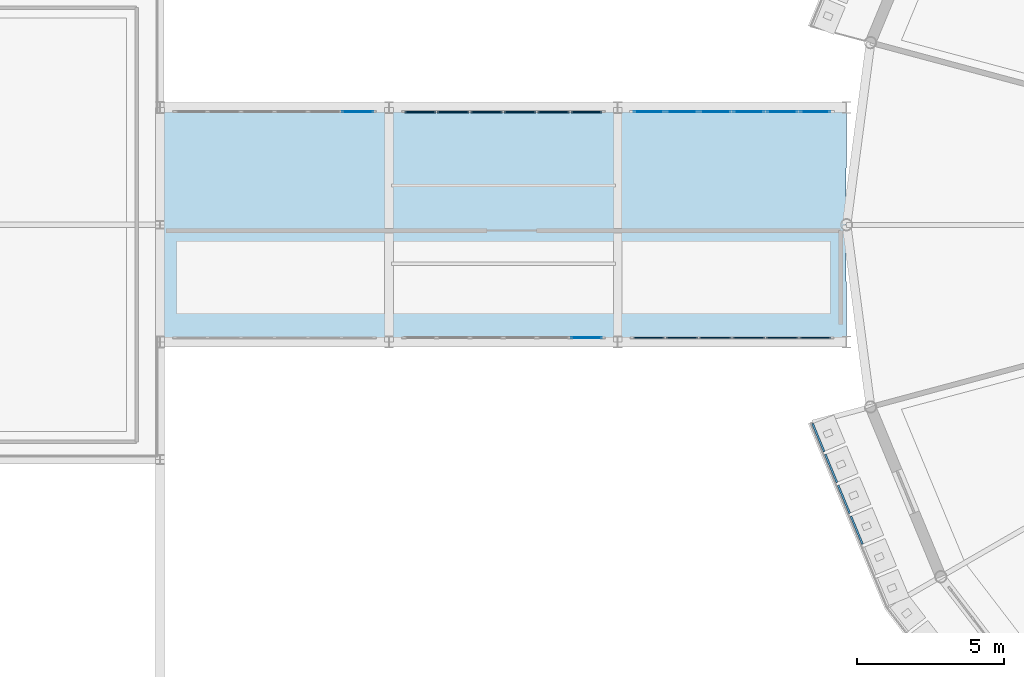
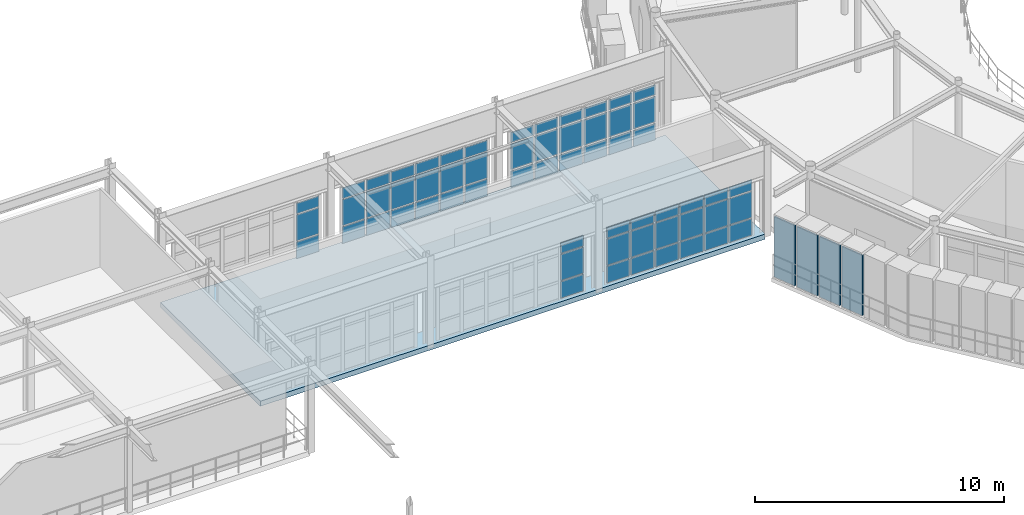
# One storey, part 67 of 106: 64 plates, 1 slab, 5 elements without a shape of their own.
"""IFC4 building model written with IfcOpenShell, lengths in metres."""

from ifc_helpers import new_model, si_unit, derived_unit, direction, frame, origin, origin_2d, place, context, subcontext, project, spatial, polyline, rectangle, outline, extrude, material, layer, layer_set, type_object, element, aggregate, save


model = new_model("IFC4")

# Units and contexts
model_context = context("Model", 3, precision=1e-05, world=origin(), true_north=direction((0.0, 1.0)))
body_context = subcontext(model_context, "Body", "Model", "MODEL_VIEW")
ifc_project = project(units=[si_unit("LENGTHUNIT", "METRE"), si_unit("AREAUNIT", "SQUARE_METRE"), si_unit("VOLUMEUNIT", "CUBIC_METRE"), si_unit("PLANEANGLEUNIT", "RADIAN"), si_unit("MASSUNIT", "GRAM", prefix="KILO"), derived_unit("THERMALTRANSMITTANCEUNIT", [(si_unit("POWERUNIT", "WATT"), 1), (si_unit("AREAUNIT", "SQUARE_METRE"), -1), (si_unit("THERMODYNAMICTEMPERATUREUNIT", "KELVIN"), -1)])], contexts=[model_context])

# Site, building, storey
site_placement = place(None, origin())
site = spatial("IfcSite", under=ifc_project, at=site_placement, CompositionType="ELEMENT")
building_placement = place(site_placement, origin())
building = spatial("IfcBuilding", under=site, at=building_placement, Name="Yasenodar Specialist Clinic", CompositionType="ELEMENT")
storey_placement = place(building_placement, frame((0.0, 0.0, 4.5)))
storey = spatial("IfcBuildingStorey", under=building, at=storey_placement, Name="L01", CompositionType="ELEMENT", Elevation=4.5)

# Curtain wall, plates
ifc_material_1 = material(Name="Bronze Anodized Aluminium and Triple Low-E Glass", Category="aluminium")
ifc_layer_1 = layer(ifc_material_1, 0.19091796875)
ifc_layer_set_1 = layer_set([ifc_layer_1], Name="Bronze Anodized Aluminium and Triple Low-E Glass")
curtain_wall_type = type_object("IfcCurtainWallType", Name="CW-SYS-03", PredefinedType="USERDEFINED", material=ifc_layer_set_1)
curtain_wall_1_placement = place(storey_placement, origin())
curtain_wall_1 = element("IfcCurtainWall", 1, at=curtain_wall_1_placement, inside=storey, type_object=curtain_wall_type, Name="L01 Unitised Curtain Wall 104", ObjectType="UNITISED CURTAIN WALL", PredefinedType="USERDEFINED")
ifc_material_2 = material(Name="Triple Low-E Argon Glazing", Category="glass")
ifc_layer_2 = layer(ifc_material_2, 0.028076171875)
ifc_layer_set_2 = layer_set([ifc_layer_2], Name="Triple Low-E Argon Glazing")
plate_type_1 = type_object("IfcPlateType", Name="CW-PAN-1", PredefinedType="CURTAIN_PANEL", material=ifc_layer_set_2)
plate_1_placement = place(storey_placement, frame((48.135009765625, 54.949951171875, 0.06005859375), z_axis=(0.0, 0.0, 1.0), x_axis=(-1.0, 0.0, 0.0)))
plate_1 = element("IfcPlate", 2, at=plate_1_placement, type_object=plate_type_1, Name="CW-03 panel 1.1", PredefinedType="CURTAIN_PANEL", context=body_context, shape_type="SweptSolid", body=[
    extrude(rectangle(XDim=1.050048828125, YDim=0.028076171875, at=origin_2d()), origin(), (0.0, 0.0, 1.0), 0.81005859375),
])
plate_2_placement = place(storey_placement, frame((48.135009765625, 54.949951171875, 0.929931640625), z_axis=(0.0, 0.0, 1.0), x_axis=(-1.0, 0.0, 0.0)))
plate_2 = element("IfcPlate", 3, at=plate_2_placement, type_object=plate_type_1, Name="CW-03 panel 1.2", PredefinedType="CURTAIN_PANEL", context=body_context, shape_type="SweptSolid", body=[
    extrude(rectangle(XDim=1.050048828125, YDim=0.028076171875, at=origin_2d()), origin(), (0.0, 0.0, 1.0), 1.26806640625),
])
plate_3_placement = place(storey_placement, frame((48.135009765625, 54.949951171875, 2.2578125), z_axis=(0.0, 0.0, 1.0), x_axis=(-1.0, 0.0, 0.0)))
plate_3 = element("IfcPlate", 4, at=plate_3_placement, type_object=plate_type_1, Name="CW-03 panel 1.3", PredefinedType="CURTAIN_PANEL", context=body_context, shape_type="SweptSolid", body=[
    extrude(rectangle(XDim=1.050048828125, YDim=0.028076171875, at=origin_2d()), origin(), (0.0, 0.0, 1.0), 0.510009765625),
])
aggregate(curtain_wall_1, [plate_1, plate_2, plate_3])

curtain_wall_2_placement = place(storey_placement, origin())
curtain_wall_2 = element("IfcCurtainWall", 5, at=curtain_wall_2_placement, inside=storey, type_object=curtain_wall_type, Name="L01 Unitised Curtain Wall 101", ObjectType="UNITISED CURTAIN WALL", PredefinedType="USERDEFINED")
ifc_layer_3 = layer(ifc_material_2, 0.033935546875)
ifc_layer_set_3 = layer_set([ifc_layer_3], Name="Triple Low-E Argon Glazing")
plate_type_2 = type_object("IfcPlateType", Name="CW-PAN-2", PredefinedType="CURTAIN_PANEL", material=ifc_layer_set_3)
plate_4_placement = place(storey_placement, frame((40.3349609375, 62.64990234375, 0.06005859375), z_axis=(0.0, 0.0, 1.0), x_axis=(1.0, 0.0, 0.0)))
plate_4 = element("IfcPlate", 6, at=plate_4_placement, type_object=plate_type_2, Name="CW-03 panel 6.1", PredefinedType="CURTAIN_PANEL", context=body_context, shape_type="SweptSolid", body=[
    extrude(rectangle(XDim=1.050048828125, YDim=0.033935546875, at=origin_2d()), origin(), (0.0, 0.0, 1.0), 0.81005859375),
])
plate_5_placement = place(storey_placement, frame((40.3349609375, 62.64990234375, 0.929931640625), z_axis=(0.0, 0.0, 1.0), x_axis=(1.0, 0.0, 0.0)))
plate_5 = element("IfcPlate", 7, at=plate_5_placement, type_object=plate_type_2, Name="CW-03 panel 6.2", PredefinedType="CURTAIN_PANEL", context=body_context, shape_type="SweptSolid", body=[
    extrude(rectangle(XDim=1.050048828125, YDim=0.033935546875, at=origin_2d()), origin(), (0.0, 0.0, 1.0), 1.26806640625),
])
plate_6_placement = place(storey_placement, frame((40.3349609375, 62.64990234375, 2.2578125), z_axis=(0.0, 0.0, 1.0), x_axis=(1.0, 0.0, 0.0)))
plate_6 = element("IfcPlate", 8, at=plate_6_placement, type_object=plate_type_2, Name="CW-03 panel 6.3", PredefinedType="CURTAIN_PANEL", context=body_context, shape_type="SweptSolid", body=[
    extrude(rectangle(XDim=1.050048828125, YDim=0.033935546875, at=origin_2d()), origin(), (0.0, 0.0, 1.0), 0.510009765625),
])
aggregate(curtain_wall_2, [plate_4, plate_5, plate_6])

curtain_wall_3_placement = place(storey_placement, origin())
curtain_wall_3 = element("IfcCurtainWall", 9, at=curtain_wall_3_placement, inside=storey, type_object=curtain_wall_type, Name="L01 Unitised Curtain Wall 105", ObjectType="UNITISED CURTAIN WALL", PredefinedType="USERDEFINED")
plate_7_placement = place(storey_placement, frame((50.268798828125, 62.64990234375, 0.074951171875), z_axis=(0.0, 0.0, 1.0), x_axis=(1.0, 0.0, 0.0)))
plate_7 = element("IfcPlate", 10, at=plate_7_placement, type_object=plate_type_2, Name="CW-03 panel 1.1", PredefinedType="CURTAIN_PANEL", context=body_context, shape_type="SweptSolid", body=[
    extrude(rectangle(XDim=1.027587890625, YDim=0.033935546875, at=origin_2d()), origin(), (0.0, 0.0, 1.0), 0.78759765625),
])
plate_8_placement = place(storey_placement, frame((50.268798828125, 62.64990234375, 0.9375), z_axis=(0.0, 0.0, 1.0), x_axis=(1.0, 0.0, 0.0)))
plate_8 = element("IfcPlate", 11, at=plate_8_placement, type_object=plate_type_2, Name="CW-03 panel 1.2", PredefinedType="CURTAIN_PANEL", context=body_context, shape_type="SweptSolid", body=[
    extrude(rectangle(XDim=1.027587890625, YDim=0.033935546875, at=origin_2d()), origin(), (0.0, 0.0, 1.0), 1.2529296875),
])
plate_9_placement = place(storey_placement, frame((50.268798828125, 62.64990234375, 2.265625), z_axis=(0.0, 0.0, 1.0), x_axis=(1.0, 0.0, 0.0)))
plate_9 = element("IfcPlate", 12, at=plate_9_placement, type_object=plate_type_2, Name="CW-03 panel 1.3", PredefinedType="CURTAIN_PANEL", context=body_context, shape_type="SweptSolid", body=[
    extrude(rectangle(XDim=1.027587890625, YDim=0.033935546875, at=origin_2d()), origin(), (0.0, 0.0, 1.0), 0.487548828125),
])
plate_10_placement = place(storey_placement, frame((51.389892578125, 62.64990234375, 0.074951171875), z_axis=(0.0, 0.0, 1.0), x_axis=(1.0, 0.0, 0.0)))
plate_10 = element("IfcPlate", 13, at=plate_10_placement, type_object=plate_type_2, Name="CW-03 panel 2.1", PredefinedType="CURTAIN_PANEL", context=body_context, shape_type="SweptSolid", body=[
    extrude(rectangle(XDim=1.06494140625, YDim=0.033935546875, at=origin_2d()), origin(), (0.0, 0.0, 1.0), 0.78759765625),
])
plate_11_placement = place(storey_placement, frame((51.389892578125, 62.64990234375, 0.9375), z_axis=(0.0, 0.0, 1.0), x_axis=(1.0, 0.0, 0.0)))
plate_11 = element("IfcPlate", 14, at=plate_11_placement, type_object=plate_type_2, Name="CW-03 panel 2.2", PredefinedType="CURTAIN_PANEL", context=body_context, shape_type="SweptSolid", body=[
    extrude(rectangle(XDim=1.06494140625, YDim=0.033935546875, at=origin_2d()), origin(), (0.0, 0.0, 1.0), 1.2529296875),
])
plate_12_placement = place(storey_placement, frame((51.389892578125, 62.64990234375, 2.265625), z_axis=(0.0, 0.0, 1.0), x_axis=(1.0, 0.0, 0.0)))
plate_12 = element("IfcPlate", 15, at=plate_12_placement, type_object=plate_type_2, Name="CW-03 panel 2.3", PredefinedType="CURTAIN_PANEL", context=body_context, shape_type="SweptSolid", body=[
    extrude(rectangle(XDim=1.06494140625, YDim=0.033935546875, at=origin_2d()), origin(), (0.0, 0.0, 1.0), 0.487548828125),
])
plate_13_placement = place(storey_placement, frame((52.530029296875, 62.64990234375, 0.074951171875), z_axis=(0.0, 0.0, 1.0), x_axis=(1.0, 0.0, 0.0)))
plate_13 = element("IfcPlate", 16, at=plate_13_placement, type_object=plate_type_2, Name="CW-03 panel 3.1", PredefinedType="CURTAIN_PANEL", context=body_context, shape_type="SweptSolid", body=[
    extrude(rectangle(XDim=1.06494140625, YDim=0.033935546875, at=origin_2d()), origin(), (0.0, 0.0, 1.0), 0.78759765625),
])
plate_14_placement = place(storey_placement, frame((52.530029296875, 62.64990234375, 0.9375), z_axis=(0.0, 0.0, 1.0), x_axis=(1.0, 0.0, 0.0)))
plate_14 = element("IfcPlate", 17, at=plate_14_placement, type_object=plate_type_2, Name="CW-03 panel 3.2", PredefinedType="CURTAIN_PANEL", context=body_context, shape_type="SweptSolid", body=[
    extrude(rectangle(XDim=1.06494140625, YDim=0.033935546875, at=origin_2d()), origin(), (0.0, 0.0, 1.0), 1.2529296875),
])
plate_15_placement = place(storey_placement, frame((52.530029296875, 62.64990234375, 2.265625), z_axis=(0.0, 0.0, 1.0), x_axis=(1.0, 0.0, 0.0)))
plate_15 = element("IfcPlate", 18, at=plate_15_placement, type_object=plate_type_2, Name="CW-03 panel 3.3", PredefinedType="CURTAIN_PANEL", context=body_context, shape_type="SweptSolid", body=[
    extrude(rectangle(XDim=1.06494140625, YDim=0.033935546875, at=origin_2d()), origin(), (0.0, 0.0, 1.0), 0.487548828125),
])
plate_16_placement = place(storey_placement, frame((53.669921875, 62.64990234375, 0.074951171875), z_axis=(0.0, 0.0, 1.0), x_axis=(1.0, 0.0, 0.0)))
plate_16 = element("IfcPlate", 19, at=plate_16_placement, type_object=plate_type_2, Name="CW-03 panel 4.1", PredefinedType="CURTAIN_PANEL", context=body_context, shape_type="SweptSolid", body=[
    extrude(rectangle(XDim=1.06494140625, YDim=0.033935546875, at=origin_2d()), origin(), (0.0, 0.0, 1.0), 0.78759765625),
])
plate_17_placement = place(storey_placement, frame((53.669921875, 62.64990234375, 0.9375), z_axis=(0.0, 0.0, 1.0), x_axis=(1.0, 0.0, 0.0)))
plate_17 = element("IfcPlate", 20, at=plate_17_placement, type_object=plate_type_2, Name="CW-03 panel 4.2", PredefinedType="CURTAIN_PANEL", context=body_context, shape_type="SweptSolid", body=[
    extrude(rectangle(XDim=1.06494140625, YDim=0.033935546875, at=origin_2d()), origin(), (0.0, 0.0, 1.0), 1.2529296875),
])
plate_18_placement = place(storey_placement, frame((53.669921875, 62.64990234375, 2.265625), z_axis=(0.0, 0.0, 1.0), x_axis=(1.0, 0.0, 0.0)))
plate_18 = element("IfcPlate", 21, at=plate_18_placement, type_object=plate_type_2, Name="CW-03 panel 4.3", PredefinedType="CURTAIN_PANEL", context=body_context, shape_type="SweptSolid", body=[
    extrude(rectangle(XDim=1.06494140625, YDim=0.033935546875, at=origin_2d()), origin(), (0.0, 0.0, 1.0), 0.487548828125),
])
plate_19_placement = place(storey_placement, frame((54.81005859375, 62.64990234375, 0.074951171875), z_axis=(0.0, 0.0, 1.0), x_axis=(1.0, 0.0, 0.0)))
plate_19 = element("IfcPlate", 22, at=plate_19_placement, type_object=plate_type_2, Name="CW-03 panel 5.1", PredefinedType="CURTAIN_PANEL", context=body_context, shape_type="SweptSolid", body=[
    extrude(rectangle(XDim=1.06494140625, YDim=0.033935546875, at=origin_2d()), origin(), (0.0, 0.0, 1.0), 0.78759765625),
])
plate_20_placement = place(storey_placement, frame((54.81005859375, 62.64990234375, 0.9375), z_axis=(0.0, 0.0, 1.0), x_axis=(1.0, 0.0, 0.0)))
plate_20 = element("IfcPlate", 23, at=plate_20_placement, type_object=plate_type_2, Name="CW-03 panel 5.2", PredefinedType="CURTAIN_PANEL", context=body_context, shape_type="SweptSolid", body=[
    extrude(rectangle(XDim=1.06494140625, YDim=0.033935546875, at=origin_2d()), origin(), (0.0, 0.0, 1.0), 1.2529296875),
])
plate_21_placement = place(storey_placement, frame((54.81005859375, 62.64990234375, 2.265625), z_axis=(0.0, 0.0, 1.0), x_axis=(1.0, 0.0, 0.0)))
plate_21 = element("IfcPlate", 24, at=plate_21_placement, type_object=plate_type_2, Name="CW-03 panel 5.3", PredefinedType="CURTAIN_PANEL", context=body_context, shape_type="SweptSolid", body=[
    extrude(rectangle(XDim=1.06494140625, YDim=0.033935546875, at=origin_2d()), origin(), (0.0, 0.0, 1.0), 0.487548828125),
])
plate_22_placement = place(storey_placement, frame((55.93115234375, 62.64990234375, 0.074951171875), z_axis=(0.0, 0.0, 1.0), x_axis=(1.0, 0.0, 0.0)))
plate_22 = element("IfcPlate", 25, at=plate_22_placement, type_object=plate_type_2, Name="CW-03 panel 6.1", PredefinedType="CURTAIN_PANEL", context=body_context, shape_type="SweptSolid", body=[
    extrude(rectangle(XDim=1.027587890625, YDim=0.033935546875, at=origin_2d()), origin(), (0.0, 0.0, 1.0), 0.78759765625),
])
plate_23_placement = place(storey_placement, frame((55.93115234375, 62.64990234375, 0.9375), z_axis=(0.0, 0.0, 1.0), x_axis=(1.0, 0.0, 0.0)))
plate_23 = element("IfcPlate", 26, at=plate_23_placement, type_object=plate_type_2, Name="CW-03 panel 6.2", PredefinedType="CURTAIN_PANEL", context=body_context, shape_type="SweptSolid", body=[
    extrude(rectangle(XDim=1.027587890625, YDim=0.033935546875, at=origin_2d()), origin(), (0.0, 0.0, 1.0), 1.2529296875),
])
plate_24_placement = place(storey_placement, frame((55.93115234375, 62.64990234375, 2.265625), z_axis=(0.0, 0.0, 1.0), x_axis=(1.0, 0.0, 0.0)))
plate_24 = element("IfcPlate", 27, at=plate_24_placement, type_object=plate_type_2, Name="CW-03 panel 6.3", PredefinedType="CURTAIN_PANEL", context=body_context, shape_type="SweptSolid", body=[
    extrude(rectangle(XDim=1.027587890625, YDim=0.033935546875, at=origin_2d()), origin(), (0.0, 0.0, 1.0), 0.487548828125),
])
aggregate(curtain_wall_3, [plate_7, plate_8, plate_9, plate_10, plate_11, plate_12, plate_13, plate_14, plate_15, plate_16, plate_17, plate_18, plate_19, plate_20, plate_21, plate_22, plate_23, plate_24])

curtain_wall_4_placement = place(storey_placement, origin())
curtain_wall_4 = element("IfcCurtainWall", 28, at=curtain_wall_4_placement, inside=storey, type_object=curtain_wall_type, Name="L01 Unitised Curtain Wall 106", ObjectType="UNITISED CURTAIN WALL", PredefinedType="USERDEFINED")
ifc_layer_4 = layer(ifc_material_2, 0.0400390625)
ifc_layer_set_4 = layer_set([ifc_layer_4], Name="Triple Low-E Argon Glazing")
plate_type_3 = type_object("IfcPlateType", Name="CW-PAN-3", PredefinedType="CURTAIN_PANEL", material=ifc_layer_set_4)
plate_25_placement = place(storey_placement, frame((55.93505859375, 54.949951171875, 0.06005859375), z_axis=(0.0, 0.0, 1.0), x_axis=(-1.0, 0.0, 0.0)))
plate_25 = element("IfcPlate", 29, at=plate_25_placement, type_object=plate_type_3, Name="CW-03 panel 1.1", PredefinedType="CURTAIN_PANEL", context=body_context, shape_type="SweptSolid", body=[
    extrude(rectangle(XDim=1.050048828125, YDim=0.0400390625, at=origin_2d()), origin(), (0.0, 0.0, 1.0), 0.81005859375),
])
plate_26_placement = place(storey_placement, frame((55.93505859375, 54.949951171875, 0.929931640625), z_axis=(0.0, 0.0, 1.0), x_axis=(-1.0, 0.0, 0.0)))
plate_26 = element("IfcPlate", 30, at=plate_26_placement, type_object=plate_type_3, Name="CW-03 panel 1.2", PredefinedType="CURTAIN_PANEL", context=body_context, shape_type="SweptSolid", body=[
    extrude(rectangle(XDim=1.050048828125, YDim=0.0400390625, at=origin_2d()), origin(), (0.0, 0.0, 1.0), 1.26806640625),
])
plate_27_placement = place(storey_placement, frame((55.93505859375, 54.949951171875, 2.2578125), z_axis=(0.0, 0.0, 1.0), x_axis=(-1.0, 0.0, 0.0)))
plate_27 = element("IfcPlate", 31, at=plate_27_placement, type_object=plate_type_3, Name="CW-03 panel 1.3", PredefinedType="CURTAIN_PANEL", context=body_context, shape_type="SweptSolid", body=[
    extrude(rectangle(XDim=1.050048828125, YDim=0.0400390625, at=origin_2d()), origin(), (0.0, 0.0, 1.0), 0.510009765625),
])
plate_28_placement = place(storey_placement, frame((54.81005859375, 54.949951171875, 0.06005859375), z_axis=(0.0, 0.0, 1.0), x_axis=(-1.0, 0.0, 0.0)))
plate_28 = element("IfcPlate", 32, at=plate_28_placement, type_object=plate_type_3, Name="CW-03 panel 2.1", PredefinedType="CURTAIN_PANEL", context=body_context, shape_type="SweptSolid", body=[
    extrude(rectangle(XDim=1.080078125, YDim=0.0400390625, at=origin_2d()), origin(), (0.0, 0.0, 1.0), 0.81005859375),
])
plate_29_placement = place(storey_placement, frame((54.81005859375, 54.949951171875, 0.929931640625), z_axis=(0.0, 0.0, 1.0), x_axis=(-1.0, 0.0, 0.0)))
plate_29 = element("IfcPlate", 33, at=plate_29_placement, type_object=plate_type_3, Name="CW-03 panel 2.2", PredefinedType="CURTAIN_PANEL", context=body_context, shape_type="SweptSolid", body=[
    extrude(rectangle(XDim=1.080078125, YDim=0.0400390625, at=origin_2d()), origin(), (0.0, 0.0, 1.0), 1.26806640625),
])
plate_30_placement = place(storey_placement, frame((54.81005859375, 54.949951171875, 2.2578125), z_axis=(0.0, 0.0, 1.0), x_axis=(-1.0, 0.0, 0.0)))
plate_30 = element("IfcPlate", 34, at=plate_30_placement, type_object=plate_type_3, Name="CW-03 panel 2.3", PredefinedType="CURTAIN_PANEL", context=body_context, shape_type="SweptSolid", body=[
    extrude(rectangle(XDim=1.080078125, YDim=0.0400390625, at=origin_2d()), origin(), (0.0, 0.0, 1.0), 0.510009765625),
])
plate_31_placement = place(storey_placement, frame((53.669921875, 54.949951171875, 0.06005859375), z_axis=(0.0, 0.0, 1.0), x_axis=(-1.0, 0.0, 0.0)))
plate_31 = element("IfcPlate", 35, at=plate_31_placement, type_object=plate_type_3, Name="CW-03 panel 3.1", PredefinedType="CURTAIN_PANEL", context=body_context, shape_type="SweptSolid", body=[
    extrude(rectangle(XDim=1.080078125, YDim=0.0400390625, at=origin_2d()), origin(), (0.0, 0.0, 1.0), 0.81005859375),
])
plate_32_placement = place(storey_placement, frame((53.669921875, 54.949951171875, 0.929931640625), z_axis=(0.0, 0.0, 1.0), x_axis=(-1.0, 0.0, 0.0)))
plate_32 = element("IfcPlate", 36, at=plate_32_placement, type_object=plate_type_3, Name="CW-03 panel 3.2", PredefinedType="CURTAIN_PANEL", context=body_context, shape_type="SweptSolid", body=[
    extrude(rectangle(XDim=1.080078125, YDim=0.0400390625, at=origin_2d()), origin(), (0.0, 0.0, 1.0), 1.26806640625),
])
plate_33_placement = place(storey_placement, frame((53.669921875, 54.949951171875, 2.2578125), z_axis=(0.0, 0.0, 1.0), x_axis=(-1.0, 0.0, 0.0)))
plate_33 = element("IfcPlate", 37, at=plate_33_placement, type_object=plate_type_3, Name="CW-03 panel 3.3", PredefinedType="CURTAIN_PANEL", context=body_context, shape_type="SweptSolid", body=[
    extrude(rectangle(XDim=1.080078125, YDim=0.0400390625, at=origin_2d()), origin(), (0.0, 0.0, 1.0), 0.510009765625),
])
plate_34_placement = place(storey_placement, frame((52.530029296875, 54.949951171875, 0.06005859375), z_axis=(0.0, 0.0, 1.0), x_axis=(-1.0, 0.0, 0.0)))
plate_34 = element("IfcPlate", 38, at=plate_34_placement, type_object=plate_type_3, Name="CW-03 panel 4.1", PredefinedType="CURTAIN_PANEL", context=body_context, shape_type="SweptSolid", body=[
    extrude(rectangle(XDim=1.080078125, YDim=0.0400390625, at=origin_2d()), origin(), (0.0, 0.0, 1.0), 0.81005859375),
])
plate_35_placement = place(storey_placement, frame((52.530029296875, 54.949951171875, 0.929931640625), z_axis=(0.0, 0.0, 1.0), x_axis=(-1.0, 0.0, 0.0)))
plate_35 = element("IfcPlate", 39, at=plate_35_placement, type_object=plate_type_3, Name="CW-03 panel 4.2", PredefinedType="CURTAIN_PANEL", context=body_context, shape_type="SweptSolid", body=[
    extrude(rectangle(XDim=1.080078125, YDim=0.0400390625, at=origin_2d()), origin(), (0.0, 0.0, 1.0), 1.26806640625),
])
plate_36_placement = place(storey_placement, frame((52.530029296875, 54.949951171875, 2.2578125), z_axis=(0.0, 0.0, 1.0), x_axis=(-1.0, 0.0, 0.0)))
plate_36 = element("IfcPlate", 40, at=plate_36_placement, type_object=plate_type_3, Name="CW-03 panel 4.3", PredefinedType="CURTAIN_PANEL", context=body_context, shape_type="SweptSolid", body=[
    extrude(rectangle(XDim=1.080078125, YDim=0.0400390625, at=origin_2d()), origin(), (0.0, 0.0, 1.0), 0.510009765625),
])
plate_37_placement = place(storey_placement, frame((51.389892578125, 54.949951171875, 0.06005859375), z_axis=(0.0, 0.0, 1.0), x_axis=(-1.0, 0.0, 0.0)))
plate_37 = element("IfcPlate", 41, at=plate_37_placement, type_object=plate_type_3, Name="CW-03 panel 5.1", PredefinedType="CURTAIN_PANEL", context=body_context, shape_type="SweptSolid", body=[
    extrude(rectangle(XDim=1.080078125, YDim=0.0400390625, at=origin_2d()), origin(), (0.0, 0.0, 1.0), 0.81005859375),
])
plate_38_placement = place(storey_placement, frame((51.389892578125, 54.949951171875, 0.929931640625), z_axis=(0.0, 0.0, 1.0), x_axis=(-1.0, 0.0, 0.0)))
plate_38 = element("IfcPlate", 42, at=plate_38_placement, type_object=plate_type_3, Name="CW-03 panel 5.2", PredefinedType="CURTAIN_PANEL", context=body_context, shape_type="SweptSolid", body=[
    extrude(rectangle(XDim=1.080078125, YDim=0.0400390625, at=origin_2d()), origin(), (0.0, 0.0, 1.0), 1.26806640625),
])
plate_39_placement = place(storey_placement, frame((51.389892578125, 54.949951171875, 2.2578125), z_axis=(0.0, 0.0, 1.0), x_axis=(-1.0, 0.0, 0.0)))
plate_39 = element("IfcPlate", 43, at=plate_39_placement, type_object=plate_type_3, Name="CW-03 panel 5.3", PredefinedType="CURTAIN_PANEL", context=body_context, shape_type="SweptSolid", body=[
    extrude(rectangle(XDim=1.080078125, YDim=0.0400390625, at=origin_2d()), origin(), (0.0, 0.0, 1.0), 0.510009765625),
])
plate_40_placement = place(storey_placement, frame((50.264892578125, 54.949951171875, 0.06005859375), z_axis=(0.0, 0.0, 1.0), x_axis=(-1.0, 0.0, 0.0)))
plate_40 = element("IfcPlate", 44, at=plate_40_placement, type_object=plate_type_3, Name="CW-03 panel 6.1", PredefinedType="CURTAIN_PANEL", context=body_context, shape_type="SweptSolid", body=[
    extrude(rectangle(XDim=1.050048828125, YDim=0.0400390625, at=origin_2d()), origin(), (0.0, 0.0, 1.0), 0.81005859375),
])
plate_41_placement = place(storey_placement, frame((50.264892578125, 54.949951171875, 0.929931640625), z_axis=(0.0, 0.0, 1.0), x_axis=(-1.0, 0.0, 0.0)))
plate_41 = element("IfcPlate", 45, at=plate_41_placement, type_object=plate_type_3, Name="CW-03 panel 6.2", PredefinedType="CURTAIN_PANEL", context=body_context, shape_type="SweptSolid", body=[
    extrude(rectangle(XDim=1.050048828125, YDim=0.0400390625, at=origin_2d()), origin(), (0.0, 0.0, 1.0), 1.26806640625),
])
plate_42_placement = place(storey_placement, frame((50.264892578125, 54.949951171875, 2.2578125), z_axis=(0.0, 0.0, 1.0), x_axis=(-1.0, 0.0, 0.0)))
plate_42 = element("IfcPlate", 46, at=plate_42_placement, type_object=plate_type_3, Name="CW-03 panel 6.3", PredefinedType="CURTAIN_PANEL", context=body_context, shape_type="SweptSolid", body=[
    extrude(rectangle(XDim=1.050048828125, YDim=0.0400390625, at=origin_2d()), origin(), (0.0, 0.0, 1.0), 0.510009765625),
])
aggregate(curtain_wall_4, [plate_25, plate_26, plate_27, plate_28, plate_29, plate_30, plate_31, plate_32, plate_33, plate_34, plate_35, plate_36, plate_37, plate_38, plate_39, plate_40, plate_41, plate_42])

curtain_wall_5_placement = place(storey_placement, origin())
curtain_wall_5 = element("IfcCurtainWall", 47, at=curtain_wall_5_placement, inside=storey, type_object=curtain_wall_type, Name="L01 Unitised Curtain Wall 103", ObjectType="UNITISED CURTAIN WALL", PredefinedType="USERDEFINED")
ifc_layer_5 = layer(ifc_material_2, 0.0458984375)
ifc_layer_set_5 = layer_set([ifc_layer_5], Name="Triple Low-E Argon Glazing")
plate_type_4 = type_object("IfcPlateType", Name="CW-PAN-4", PredefinedType="CURTAIN_PANEL", material=ifc_layer_set_5)
plate_43_placement = place(storey_placement, frame((42.465087890625, 62.64990234375, 0.06005859375), z_axis=(0.0, 0.0, 1.0), x_axis=(1.0, 0.0, 0.0)))
plate_43 = element("IfcPlate", 48, at=plate_43_placement, type_object=plate_type_4, Name="CW-03 panel 1.1", PredefinedType="CURTAIN_PANEL", context=body_context, shape_type="SweptSolid", body=[
    extrude(rectangle(XDim=1.050048828125, YDim=0.0458984375, at=origin_2d()), origin(), (0.0, 0.0, 1.0), 0.81005859375),
])
plate_44_placement = place(storey_placement, frame((42.465087890625, 62.64990234375, 0.929931640625), z_axis=(0.0, 0.0, 1.0), x_axis=(1.0, 0.0, 0.0)))
plate_44 = element("IfcPlate", 49, at=plate_44_placement, type_object=plate_type_4, Name="CW-03 panel 1.2", PredefinedType="CURTAIN_PANEL", context=body_context, shape_type="SweptSolid", body=[
    extrude(rectangle(XDim=1.050048828125, YDim=0.0458984375, at=origin_2d()), origin(), (0.0, 0.0, 1.0), 1.26806640625),
])
plate_45_placement = place(storey_placement, frame((42.465087890625, 62.64990234375, 2.2578125), z_axis=(0.0, 0.0, 1.0), x_axis=(1.0, 0.0, 0.0)))
plate_45 = element("IfcPlate", 50, at=plate_45_placement, type_object=plate_type_4, Name="CW-03 panel 1.3", PredefinedType="CURTAIN_PANEL", context=body_context, shape_type="SweptSolid", body=[
    extrude(rectangle(XDim=1.050048828125, YDim=0.0458984375, at=origin_2d()), origin(), (0.0, 0.0, 1.0), 0.510009765625),
])
plate_46_placement = place(storey_placement, frame((43.590087890625, 62.64990234375, 0.06005859375), z_axis=(0.0, 0.0, 1.0), x_axis=(1.0, 0.0, 0.0)))
plate_46 = element("IfcPlate", 51, at=plate_46_placement, type_object=plate_type_4, Name="CW-03 panel 2.1", PredefinedType="CURTAIN_PANEL", context=body_context, shape_type="SweptSolid", body=[
    extrude(rectangle(XDim=1.080078125, YDim=0.0458984375, at=origin_2d()), origin(), (0.0, 0.0, 1.0), 0.81005859375),
])
plate_47_placement = place(storey_placement, frame((43.590087890625, 62.64990234375, 0.929931640625), z_axis=(0.0, 0.0, 1.0), x_axis=(1.0, 0.0, 0.0)))
plate_47 = element("IfcPlate", 52, at=plate_47_placement, type_object=plate_type_4, Name="CW-03 panel 2.2", PredefinedType="CURTAIN_PANEL", context=body_context, shape_type="SweptSolid", body=[
    extrude(rectangle(XDim=1.080078125, YDim=0.0458984375, at=origin_2d()), origin(), (0.0, 0.0, 1.0), 1.26806640625),
])
plate_48_placement = place(storey_placement, frame((43.590087890625, 62.64990234375, 2.2578125), z_axis=(0.0, 0.0, 1.0), x_axis=(1.0, 0.0, 0.0)))
plate_48 = element("IfcPlate", 53, at=plate_48_placement, type_object=plate_type_4, Name="CW-03 panel 2.3", PredefinedType="CURTAIN_PANEL", context=body_context, shape_type="SweptSolid", body=[
    extrude(rectangle(XDim=1.080078125, YDim=0.0458984375, at=origin_2d()), origin(), (0.0, 0.0, 1.0), 0.510009765625),
])
plate_49_placement = place(storey_placement, frame((44.72998046875, 62.64990234375, 0.06005859375), z_axis=(0.0, 0.0, 1.0), x_axis=(1.0, 0.0, 0.0)))
plate_49 = element("IfcPlate", 54, at=plate_49_placement, type_object=plate_type_4, Name="CW-03 panel 3.1", PredefinedType="CURTAIN_PANEL", context=body_context, shape_type="SweptSolid", body=[
    extrude(rectangle(XDim=1.080078125, YDim=0.0458984375, at=origin_2d()), origin(), (0.0, 0.0, 1.0), 0.81005859375),
])
plate_50_placement = place(storey_placement, frame((44.72998046875, 62.64990234375, 0.929931640625), z_axis=(0.0, 0.0, 1.0), x_axis=(1.0, 0.0, 0.0)))
plate_50 = element("IfcPlate", 55, at=plate_50_placement, type_object=plate_type_4, Name="CW-03 panel 3.2", PredefinedType="CURTAIN_PANEL", context=body_context, shape_type="SweptSolid", body=[
    extrude(rectangle(XDim=1.080078125, YDim=0.0458984375, at=origin_2d()), origin(), (0.0, 0.0, 1.0), 1.26806640625),
])
plate_51_placement = place(storey_placement, frame((44.72998046875, 62.64990234375, 2.2578125), z_axis=(0.0, 0.0, 1.0), x_axis=(1.0, 0.0, 0.0)))
plate_51 = element("IfcPlate", 56, at=plate_51_placement, type_object=plate_type_4, Name="CW-03 panel 3.3", PredefinedType="CURTAIN_PANEL", context=body_context, shape_type="SweptSolid", body=[
    extrude(rectangle(XDim=1.080078125, YDim=0.0458984375, at=origin_2d()), origin(), (0.0, 0.0, 1.0), 0.510009765625),
])
plate_52_placement = place(storey_placement, frame((45.8701171875, 62.64990234375, 0.06005859375), z_axis=(0.0, 0.0, 1.0), x_axis=(1.0, 0.0, 0.0)))
plate_52 = element("IfcPlate", 57, at=plate_52_placement, type_object=plate_type_4, Name="CW-03 panel 4.1", PredefinedType="CURTAIN_PANEL", context=body_context, shape_type="SweptSolid", body=[
    extrude(rectangle(XDim=1.080078125, YDim=0.0458984375, at=origin_2d()), origin(), (0.0, 0.0, 1.0), 0.81005859375),
])
plate_53_placement = place(storey_placement, frame((45.8701171875, 62.64990234375, 0.929931640625), z_axis=(0.0, 0.0, 1.0), x_axis=(1.0, 0.0, 0.0)))
plate_53 = element("IfcPlate", 58, at=plate_53_placement, type_object=plate_type_4, Name="CW-03 panel 4.2", PredefinedType="CURTAIN_PANEL", context=body_context, shape_type="SweptSolid", body=[
    extrude(rectangle(XDim=1.080078125, YDim=0.0458984375, at=origin_2d()), origin(), (0.0, 0.0, 1.0), 1.26806640625),
])
plate_54_placement = place(storey_placement, frame((45.8701171875, 62.64990234375, 2.2578125), z_axis=(0.0, 0.0, 1.0), x_axis=(1.0, 0.0, 0.0)))
plate_54 = element("IfcPlate", 59, at=plate_54_placement, type_object=plate_type_4, Name="CW-03 panel 4.3", PredefinedType="CURTAIN_PANEL", context=body_context, shape_type="SweptSolid", body=[
    extrude(rectangle(XDim=1.080078125, YDim=0.0458984375, at=origin_2d()), origin(), (0.0, 0.0, 1.0), 0.510009765625),
])
plate_55_placement = place(storey_placement, frame((47.010009765625, 62.64990234375, 0.06005859375), z_axis=(0.0, 0.0, 1.0), x_axis=(1.0, 0.0, 0.0)))
plate_55 = element("IfcPlate", 60, at=plate_55_placement, type_object=plate_type_4, Name="CW-03 panel 5.1", PredefinedType="CURTAIN_PANEL", context=body_context, shape_type="SweptSolid", body=[
    extrude(rectangle(XDim=1.080078125, YDim=0.0458984375, at=origin_2d()), origin(), (0.0, 0.0, 1.0), 0.81005859375),
])
plate_56_placement = place(storey_placement, frame((47.010009765625, 62.64990234375, 0.929931640625), z_axis=(0.0, 0.0, 1.0), x_axis=(1.0, 0.0, 0.0)))
plate_56 = element("IfcPlate", 61, at=plate_56_placement, type_object=plate_type_4, Name="CW-03 panel 5.2", PredefinedType="CURTAIN_PANEL", context=body_context, shape_type="SweptSolid", body=[
    extrude(rectangle(XDim=1.080078125, YDim=0.0458984375, at=origin_2d()), origin(), (0.0, 0.0, 1.0), 1.26806640625),
])
plate_57_placement = place(storey_placement, frame((47.010009765625, 62.64990234375, 2.2578125), z_axis=(0.0, 0.0, 1.0), x_axis=(1.0, 0.0, 0.0)))
plate_57 = element("IfcPlate", 62, at=plate_57_placement, type_object=plate_type_4, Name="CW-03 panel 5.3", PredefinedType="CURTAIN_PANEL", context=body_context, shape_type="SweptSolid", body=[
    extrude(rectangle(XDim=1.080078125, YDim=0.0458984375, at=origin_2d()), origin(), (0.0, 0.0, 1.0), 0.510009765625),
])
plate_58_placement = place(storey_placement, frame((48.135009765625, 62.64990234375, 0.06005859375), z_axis=(0.0, 0.0, 1.0), x_axis=(1.0, 0.0, 0.0)))
plate_58 = element("IfcPlate", 63, at=plate_58_placement, type_object=plate_type_4, Name="CW-03 panel 6.1", PredefinedType="CURTAIN_PANEL", context=body_context, shape_type="SweptSolid", body=[
    extrude(rectangle(XDim=1.050048828125, YDim=0.0458984375, at=origin_2d()), origin(), (0.0, 0.0, 1.0), 0.81005859375),
])
plate_59_placement = place(storey_placement, frame((48.135009765625, 62.64990234375, 0.929931640625), z_axis=(0.0, 0.0, 1.0), x_axis=(1.0, 0.0, 0.0)))
plate_59 = element("IfcPlate", 64, at=plate_59_placement, type_object=plate_type_4, Name="CW-03 panel 6.2", PredefinedType="CURTAIN_PANEL", context=body_context, shape_type="SweptSolid", body=[
    extrude(rectangle(XDim=1.050048828125, YDim=0.0458984375, at=origin_2d()), origin(), (0.0, 0.0, 1.0), 1.26806640625),
])
plate_60_placement = place(storey_placement, frame((48.135009765625, 62.64990234375, 2.2578125), z_axis=(0.0, 0.0, 1.0), x_axis=(1.0, 0.0, 0.0)))
plate_60 = element("IfcPlate", 65, at=plate_60_placement, type_object=plate_type_4, Name="CW-03 panel 6.3", PredefinedType="CURTAIN_PANEL", context=body_context, shape_type="SweptSolid", body=[
    extrude(rectangle(XDim=1.050048828125, YDim=0.0458984375, at=origin_2d()), origin(), (0.0, 0.0, 1.0), 0.510009765625),
])
aggregate(curtain_wall_5, [plate_43, plate_44, plate_45, plate_46, plate_47, plate_48, plate_49, plate_50, plate_51, plate_52, plate_53, plate_54, plate_55, plate_56, plate_57, plate_58, plate_59, plate_60])

# Plates
ifc_material_3 = material(Name="Thermally Modified Larch and Bronze Girih Jali Screen")
ifc_layer_6 = layer(ifc_material_3, 0.06494140625)
ifc_layer_set_6 = layer_set([ifc_layer_6], Name="Thermally Modified Larch and Bronze Girih Jali Screen")
plate_type_5 = type_object("IfcPlateType", Name="PL-JALI-850", PredefinedType="USERDEFINED", material=ifc_layer_set_6)
for number, where, z_axis, x_axis, name in (
    (66, (56.040283203125, 51.5458984375, 0.0048828125), (0.0, 0.0, 1.0), (0.382686667195, -0.923878192594, 0.0), "L01 Sliding Timber-Bronze Jali Shutter Screen 0049"),
    (67, (56.476318359375, 50.492919921875, 0.0048828125), (0.0, 0.0, 1.0), (0.382686667195, -0.923878192594, 0.0), "L01 Sliding Timber-Bronze Jali Shutter Screen 0050"),
    (68, (56.91259765625, 49.439697265625, 0.0048828125), (0.0, 0.0, 1.0), (0.382686667195, -0.923878192594, 0.0), "L01 Sliding Timber-Bronze Jali Shutter Screen 0051"),
    (69, (57.348876953125, 48.386474609375, 0.0048828125), (0.0, 0.0, 1.0), (0.382686667195, -0.923878192594, 0.0), "L01 Sliding Timber-Bronze Jali Shutter Screen 0052"),
):
    element("IfcPlate", number, at=place(storey_placement, frame(where, z_axis=z_axis, x_axis=x_axis)), inside=storey, type_object=plate_type_5, Name=name, ObjectType="SCREEN_PANEL", PredefinedType="USERDEFINED", context=body_context, shape_type="SweptSolid", body=[
        extrude(rectangle(XDim=1.0400390625, YDim=0.06494140625, at=origin_2d()), origin(), (0.0, 0.0, 1.0), 2.949951171875),
    ])

# Slab
ifc_material_4 = material(Name="Concrete C30/37", Category="concrete")
ifc_layer_7 = layer(ifc_material_4, 0.25)
ifc_layer_set_7 = layer_set([ifc_layer_7], Name="Concrete C30/37")
slab_type = type_object("IfcSlabType", Name="SLB-FLR-250", PredefinedType="FLOOR", material=ifc_layer_set_7)
slab_placement = place(storey_placement, frame((0.0, 0.0, -0.25)))
element("IfcSlab", 70, at=slab_placement, inside=storey, type_object=slab_type, Name="L01 V6 structural slab", PredefinedType="FLOOR", context=body_context, shape_type="SweptSolid", body=[
    extrude(outline(polyline([(57.0, 54.800048828125), (33.614990234375, 54.800048828125), (33.614990234375, 62.800048828125), (57.0, 62.800048828125), (56.98486328125, 58.800048828125), (57.0, 54.800048828125)])), origin(), (0.0, 0.0, 1.0), 0.25),
])

save(model, "model.ifc")
